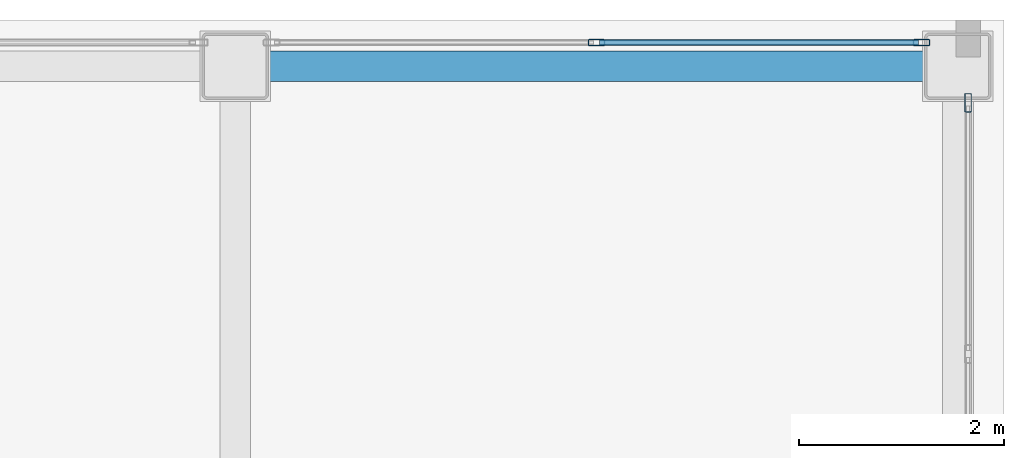
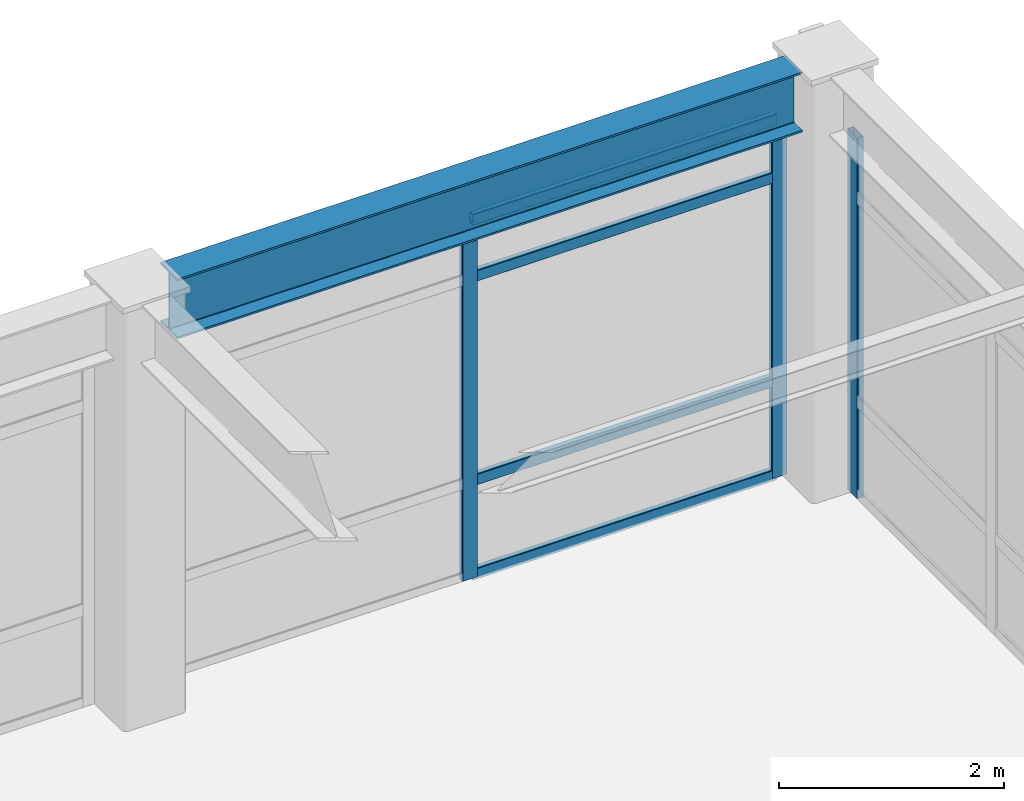
# One storey, part 43 of 61: 7 members, 1 beam, 2 elements without a shape of their own.
"""IFC4 building model written with IfcOpenShell, lengths in metres."""

from ifc_helpers import new_model, si_unit, direction, frame, origin, origin_2d, place, context, subcontext, project, spatial, hollow_rectangle, i_section, extrude, material, layer, layer_set, material_profile, profile_set, type_object, element, aggregate, save


model = new_model("IFC4")

# Units and contexts
model_context = context("Model", 3, precision=1e-05, world=origin(), true_north=direction((0.0, 1.0)))
body_context = subcontext(model_context, "Body", "Model", "MODEL_VIEW")
ifc_project = project(units=[si_unit("LENGTHUNIT", "METRE"), si_unit("AREAUNIT", "SQUARE_METRE"), si_unit("VOLUMEUNIT", "CUBIC_METRE"), si_unit("PLANEANGLEUNIT", "RADIAN"), si_unit("MASSUNIT", "GRAM", prefix="KILO")], contexts=[model_context])

# Site, building, storey
site_placement = place(None, origin())
site = spatial("IfcSite", under=ifc_project, at=site_placement, CompositionType="ELEMENT")
building_placement = place(site_placement, origin())
building = spatial("IfcBuilding", under=site, at=building_placement, Name="Kazehara Bluff Congress Hotel", CompositionType="ELEMENT")
storey_placement = place(building_placement, frame((0.0, 0.0, 19.800048828125)))
storey = spatial("IfcBuildingStorey", under=building, at=storey_placement, Name="L04", CompositionType="ELEMENT", Elevation=19.800048828125)

# Curtain wall, members
ifc_material_1 = material(Name="Anodised aluminium", Category="aluminium")
ifc_layer_1 = layer(ifc_material_1, 0.159912109375)
ifc_layer_set_1 = layer_set([ifc_layer_1], Name="Anodised aluminium")
curtain_wall_type_1 = type_object("IfcCurtainWallType", Name="TP-CW-159", PredefinedType="NOTDEFINED", material=ifc_layer_set_1)
curtain_wall_1_placement = place(storey_placement, origin())
curtain_wall_1 = element("IfcCurtainWall", 1, at=curtain_wall_1_placement, inside=storey, type_object=curtain_wall_type_1, Name="L04 curtain wall CW-159 CW-ENC-V5-L04-16402-11378", PredefinedType="NOTDEFINED")
ifc_material_2 = material(Name="Anodised aluminium", Category="aluminium")
ifc_material_profile_1 = material_profile(ifc_material_2, hollow_rectangle(XDim=0.06005859375, YDim=0.159912109375, WallThickness=0.00390625, InnerFilletRadius=0.00390625, OuterFilletRadius=0.008056640625, at=origin_2d()))
ifc_profile_set_1 = profile_set([ifc_material_profile_1], Name="Anodised aluminium")
member_type_1 = type_object("IfcMemberType", Name="TP-CWM-01", PredefinedType="MULLION", material=ifc_profile_set_1)
member_1_placement = place(storey_placement, frame((164.02490234375, 113.780029296875, 0.0), z_axis=(0.0, 0.0, 1.0), x_axis=(0.0, 1.0, 0.0)))
member_1 = element("IfcMember", 2, at=member_1_placement, type_object=member_type_1, Name="CW-159 mullion 2", PredefinedType="MULLION", context=body_context, shape_type="SweptSolid", body=[
    extrude(hollow_rectangle(XDim=0.06005859375, YDim=0.159912109375, WallThickness=0.00390625, InnerFilletRadius=0.00390625, OuterFilletRadius=0.008056640625, at=origin_2d()), origin(), (0.0, 0.0, 1.0), 3.905029296875),
])
member_2_placement = place(storey_placement, frame((167.195068359375, 113.780029296875, 0.0), z_axis=(0.0, 0.0, 1.0), x_axis=(0.0, 1.0, 0.0)))
member_2 = element("IfcMember", 3, at=member_2_placement, type_object=member_type_1, Name="CW-159 mullion 3", PredefinedType="MULLION", context=body_context, shape_type="SweptSolid", body=[
    extrude(hollow_rectangle(XDim=0.06005859375, YDim=0.159912109375, WallThickness=0.00390625, InnerFilletRadius=0.00390625, OuterFilletRadius=0.008056640625, at=origin_2d()), origin(), (0.0, 0.0, 1.0), 3.905029296875),
])

# Curtain wall, member
ifc_material_3 = material(Name="Anodised aluminium", Category="aluminium")
ifc_layer_2 = layer(ifc_material_3, 0.159912109375)
ifc_layer_set_2 = layer_set([ifc_layer_2], Name="Anodised aluminium")
curtain_wall_type_2 = type_object("IfcCurtainWallType", Name="TP-CW-164", PredefinedType="NOTDEFINED", material=ifc_layer_set_2)
curtain_wall_2_placement = place(storey_placement, origin())
curtain_wall_2 = element("IfcCurtainWall", 4, at=curtain_wall_2_placement, inside=storey, type_object=curtain_wall_type_2, Name="L04 curtain wall CW-164 CW-ENC-V5-L04-16765-10950", PredefinedType="NOTDEFINED")
ifc_material_4 = material(Name="Anodised aluminium", Category="aluminium")
ifc_material_profile_2 = material_profile(ifc_material_4, hollow_rectangle(XDim=0.06494140625, YDim=0.179931640625, WallThickness=0.00390625, InnerFilletRadius=0.00390625, OuterFilletRadius=0.008056640625, at=origin_2d()))
ifc_profile_set_2 = profile_set([ifc_material_profile_2], Name="Anodised aluminium")
member_type_2 = type_object("IfcMemberType", Name="TP-CWM-02", PredefinedType="MULLION", material=ifc_profile_set_2)
member_3_placement = place(storey_placement, frame((167.64990234375, 113.1923828125, 0.0), z_axis=(0.0, 0.0, 1.0), x_axis=(1.0, 0.0, 0.0)))
member_3 = element("IfcMember", 5, at=member_3_placement, type_object=member_type_2, Name="CW-164 mullion 1", PredefinedType="MULLION", context=body_context, shape_type="SweptSolid", body=[
    extrude(hollow_rectangle(XDim=0.06494140625, YDim=0.179931640625, WallThickness=0.00390625, InnerFilletRadius=0.00390625, OuterFilletRadius=0.008056640625, at=origin_2d()), origin(), (0.0, 0.0, 1.0), 3.905029296875),
])
aggregate(curtain_wall_2, [member_3])

# Member
ifc_material_5 = material(Name="Anodised aluminium", Category="aluminium")
ifc_material_profile_3 = material_profile(ifc_material_5, hollow_rectangle(XDim=0.06005859375, YDim=0.1201171875, WallThickness=0.00390625, InnerFilletRadius=0.00390625, OuterFilletRadius=0.008056640625, at=origin_2d()))
ifc_profile_set_3 = profile_set([ifc_material_profile_3], Name="Anodised aluminium")
member_type_3 = type_object("IfcMemberType", Name="TP-CWT-01", PredefinedType="USERDEFINED", material=ifc_profile_set_3)
member_4_placement = place(storey_placement, frame((164.054931640625, 113.780029296875, 0.030029296875), z_axis=(1.0, 0.0, 0.0), x_axis=(0.0, 1.0, 0.0)))
member_4 = element("IfcMember", 6, at=member_4_placement, type_object=member_type_3, Name="CW-159 transom 2.1", ObjectType="TRANSOM", PredefinedType="USERDEFINED", context=body_context, shape_type="SweptSolid", body=[
    extrude(hollow_rectangle(XDim=0.06005859375, YDim=0.1201171875, WallThickness=0.00390625, InnerFilletRadius=0.00390625, OuterFilletRadius=0.008056640625, at=origin_2d()), origin(), (0.0, 0.0, 1.0), 3.110107421875),
])

member_5_placement = place(storey_placement, frame((164.054931640625, 113.780029296875, 1.050048828125), z_axis=(1.0, 0.0, 0.0), x_axis=(0.0, 1.0, 0.0)))
member_5 = element("IfcMember", 7, at=member_5_placement, type_object=member_type_3, Name="CW-159 transom 2.2", ObjectType="TRANSOM", PredefinedType="USERDEFINED", context=body_context, shape_type="SweptSolid", body=[
    extrude(hollow_rectangle(XDim=0.06005859375, YDim=0.1201171875, WallThickness=0.00390625, InnerFilletRadius=0.00390625, OuterFilletRadius=0.008056640625, at=origin_2d()), origin(), (0.0, 0.0, 1.0), 3.110107421875),
])

member_6_placement = place(storey_placement, frame((164.054931640625, 113.780029296875, 3.2548828125), z_axis=(1.0, 0.0, 0.0), x_axis=(0.0, 1.0, 0.0)))
member_6 = element("IfcMember", 8, at=member_6_placement, type_object=member_type_3, Name="CW-159 transom 2.3", ObjectType="TRANSOM", PredefinedType="USERDEFINED", context=body_context, shape_type="SweptSolid", body=[
    extrude(hollow_rectangle(XDim=0.06005859375, YDim=0.1201171875, WallThickness=0.00390625, InnerFilletRadius=0.00390625, OuterFilletRadius=0.008056640625, at=origin_2d()), origin(), (0.0, 0.0, 1.0), 3.110107421875),
])

member_7_placement = place(storey_placement, frame((164.054931640625, 113.780029296875, 3.875), z_axis=(1.0, 0.0, 0.0), x_axis=(0.0, 1.0, 0.0)))
member_7 = element("IfcMember", 9, at=member_7_placement, type_object=member_type_3, Name="CW-159 transom 2.4", ObjectType="TRANSOM", PredefinedType="USERDEFINED", context=body_context, shape_type="SweptSolid", body=[
    extrude(hollow_rectangle(XDim=0.06005859375, YDim=0.1201171875, WallThickness=0.00390625, InnerFilletRadius=0.00390625, OuterFilletRadius=0.008056640625, at=origin_2d()), origin(), (0.0, 0.0, 1.0), 3.110107421875),
])

aggregate(curtain_wall_1, [member_1, member_2, member_4, member_5, member_6, member_7])

# Beam
ifc_material_6 = material(Name="Steel SN490B", Category="steel")
ifc_material_profile_4 = material_profile(ifc_material_6, i_section(OverallWidth=0.300048828125, OverallDepth=0.64990234375, WebThickness=0.011962890625, FlangeThickness=0.02001953125, FilletRadius=0.012939453125, at=origin_2d()))
ifc_profile_set_4 = profile_set([ifc_material_profile_4], Name="Steel SN490B")
beam_type = type_object("IfcBeamType", Name="TP-G-03", PredefinedType="BEAM", material=ifc_profile_set_4)
beam_placement = place(storey_placement, frame((160.824951171875, 113.550048828125, 4.2548828125), z_axis=(1.0, 0.0, 0.0), x_axis=(0.0, 1.0, 0.0)))
element("IfcBeam", 10, at=beam_placement, inside=storey, type_object=beam_type, Name="L04 girder G-03 118", PredefinedType="BEAM", context=body_context, shape_type="SweptSolid", body=[
    extrude(i_section(OverallWidth=0.300048828125, OverallDepth=0.64990234375, WebThickness=0.011962890625, FlangeThickness=0.02001953125, FilletRadius=0.012939453125, at=origin_2d()), origin(), (0.0, 0.0, 1.0), 6.400146484375),
])

save(model, "model.ifc")
